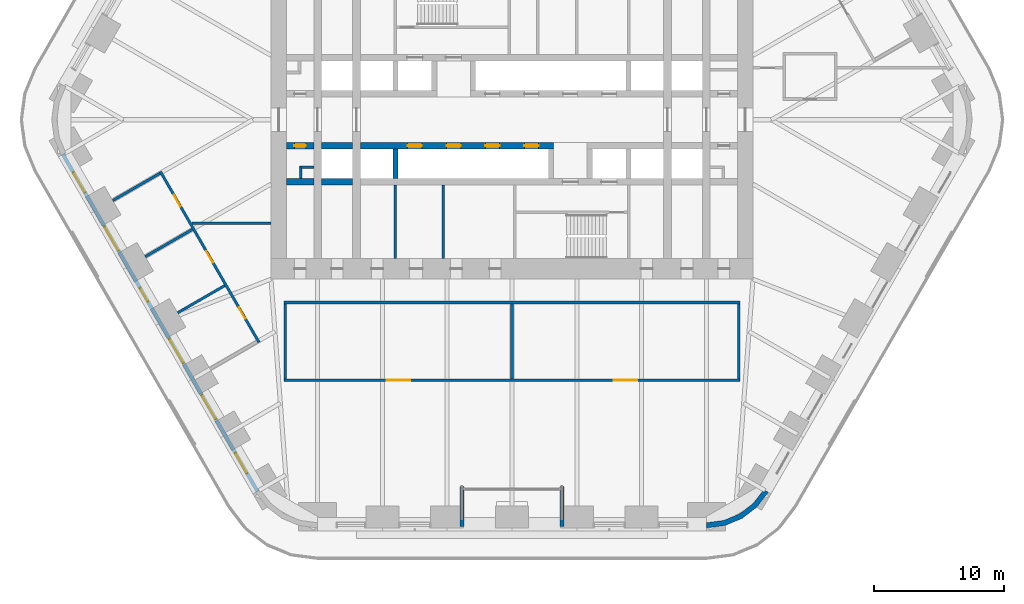
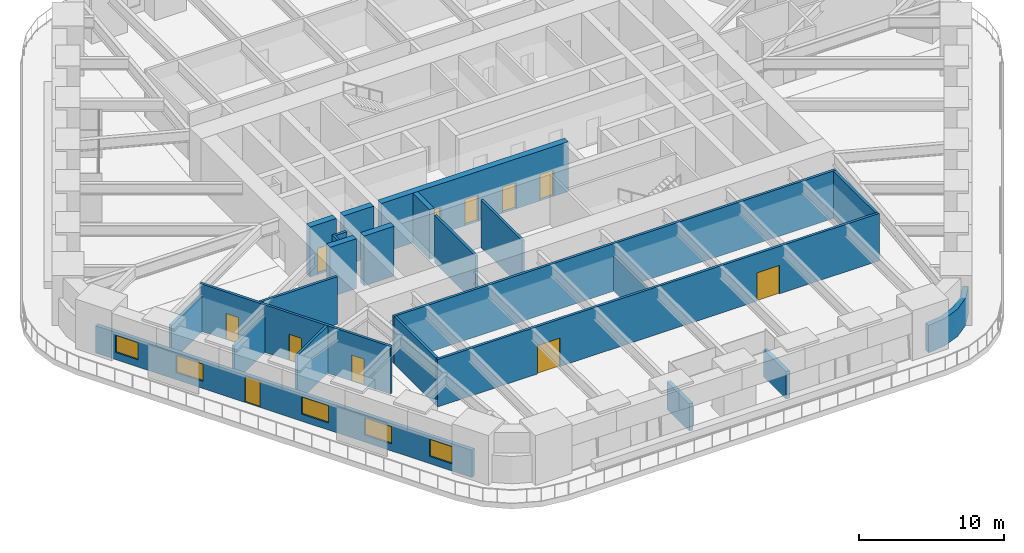
# One storey, part 17 of 24: 24 walls, 11 doors, 5 windows, 16 openings.
"""IFC4 building model written with IfcOpenShell, lengths in metres."""

from ifc_helpers import new_model, si_unit, direction, frame, frame_2d, origin, place, context, subcontext, project, spatial, polyline, rectangle, outline, extrude, material, layer, layer_set, type_object, element, fill, save


model = new_model("IFC4")

# Units and contexts
model_context = context("Model", 3, precision=1e-05, world=origin(), true_north=direction((0.0, 1.0)))
body_context = subcontext(model_context, "Body", "Model", "MODEL_VIEW")
ifc_project = project(units=[si_unit("LENGTHUNIT", "METRE"), si_unit("AREAUNIT", "SQUARE_METRE"), si_unit("VOLUMEUNIT", "CUBIC_METRE"), si_unit("PLANEANGLEUNIT", "RADIAN"), si_unit("MASSUNIT", "GRAM", prefix="KILO")], contexts=[model_context])

# Site, building, storey
site_placement = place(None, origin())
site = spatial("IfcSite", under=ifc_project, at=site_placement, CompositionType="ELEMENT")
building_placement = place(site_placement, origin())
building = spatial("IfcBuilding", under=site, at=building_placement, Name="Tarfa Lantern Tower", CompositionType="ELEMENT")
storey_placement = place(building_placement, frame((0.0, 0.0, 119.5)))
storey = spatial("IfcBuildingStorey", under=building, at=storey_placement, Name="L26", CompositionType="ELEMENT", Elevation=119.5)

# Wall, openings, door, windows
ifc_material_1 = material(Name="Limestone cladding on blockwork", Category="masonry")
ifc_layer_1 = layer(ifc_material_1, 0.300048828125)
ifc_layer_set_1 = layer_set([ifc_layer_1], Name="EW1 STONE-CLAD WALL 300")
wall_type_1 = type_object("IfcWallType", Name="EW1 STONE-CLAD WALL 300", PredefinedType="SOLIDWALL", material=ifc_layer_set_1)
wall_1_placement = place(storey_placement, frame((-34.655517578125, -2.675048828125, 0.0), z_axis=(0.0, 0.0, 1.0), x_axis=(0.500003084452, -0.866023622968, 0.0)))
wall_1 = element("IfcWall", 1, at=wall_1_placement, inside=storey, type_object=wall_type_1, Name="Stone wall SW", PredefinedType="SOLIDWALL", context=body_context, shape_type="SweptSolid", body=[
    extrude(rectangle(XDim=30.022216796875, YDim=0.300048828125, at=frame_2d((15.01123046875, 0.0))), origin(), (0.0, 0.0, 1.0), 2.300048828125),
])
opening_1_placement = place(wall_1_placement, frame((1.601806640625, 0.0, 0.60009765625)))
opening_1 = element("IfcOpeningElement", 2, at=opening_1_placement, cuts=wall_1, Name="Opening W6", PredefinedType="OPENING", context=body_context, shape_type="SweptSolid", body=[
    extrude(rectangle(XDim=1.800048828125, YDim=1.449951171875, at=frame_2d((0.89990234375, 0.72509765625))), frame((0.0, 0.159912109375, 0.0), z_axis=(0.0, -1.0, 0.0), x_axis=(1.0, 0.0, 0.0)), (0.0, 0.0, 1.0), 0.320068359375),
])
opening_2_placement = place(wall_1_placement, frame((6.4306640625, 0.0, 0.60009765625)))
opening_2 = element("IfcOpeningElement", 3, at=opening_2_placement, cuts=wall_1, Name="Opening W7", PredefinedType="OPENING", context=body_context, shape_type="SweptSolid", body=[
    extrude(rectangle(XDim=2.14990234375, YDim=1.449951171875, at=frame_2d((1.074951171875, 0.72509765625))), frame((0.0, 0.159912109375, 0.0), z_axis=(0.0, -1.0, 0.0), x_axis=(1.0, 0.0, 0.0)), (0.0, 0.0, 1.0), 0.320068359375),
])
opening_3_placement = place(wall_1_placement, frame((11.9091796875, 0.0, 0.0)))
opening_3 = element("IfcOpeningElement", 4, at=opening_3_placement, cuts=wall_1, Name="Opening D45", PredefinedType="OPENING", context=body_context, shape_type="SweptSolid", body=[
    extrude(rectangle(XDim=1.199951171875, YDim=2.199951171875, at=frame_2d((0.60009765625, 1.10009765625))), frame((0.0, 0.159912109375, 0.0), z_axis=(0.0, -1.0, 0.0), x_axis=(1.0, 0.0, 0.0)), (0.0, 0.0, 1.0), 0.320068359375),
])
opening_4_placement = place(wall_1_placement, frame((16.43798828125, 0.0, 0.60009765625)))
opening_4 = element("IfcOpeningElement", 5, at=opening_4_placement, cuts=wall_1, Name="Opening W7", PredefinedType="OPENING", context=body_context, shape_type="SweptSolid", body=[
    extrude(rectangle(XDim=2.14990234375, YDim=1.449951171875, at=frame_2d((1.074951171875, 0.72509765625))), frame((0.0, 0.159912109375, 0.0), z_axis=(0.0, -1.0, 0.0), x_axis=(1.0, 0.0, 0.0)), (0.0, 0.0, 1.0), 0.320068359375),
])
opening_5_placement = place(wall_1_placement, frame((21.441650390625, 0.0, 0.60009765625)))
opening_5 = element("IfcOpeningElement", 6, at=opening_5_placement, cuts=wall_1, Name="Opening W7", PredefinedType="OPENING", context=body_context, shape_type="SweptSolid", body=[
    extrude(rectangle(XDim=2.14990234375, YDim=1.449951171875, at=frame_2d((1.074951171875, 0.72509765625))), frame((0.0, 0.159912109375, 0.0), z_axis=(0.0, -1.0, 0.0), x_axis=(1.0, 0.0, 0.0)), (0.0, 0.0, 1.0), 0.320068359375),
])
opening_6_placement = place(wall_1_placement, frame((26.620361328125, 0.0, 0.60009765625)))
opening_6 = element("IfcOpeningElement", 7, at=opening_6_placement, cuts=wall_1, Name="Opening W6", PredefinedType="OPENING", context=body_context, shape_type="SweptSolid", body=[
    extrude(rectangle(XDim=1.800048828125, YDim=1.449951171875, at=frame_2d((0.89990234375, 0.72509765625))), frame((0.0, 0.159912109375, 0.0), z_axis=(0.0, -1.0, 0.0), x_axis=(1.0, 0.0, 0.0)), (0.0, 0.0, 1.0), 0.320068359375),
])
ifc_material_2 = material(Name="Aluminium framed glazed door", Category="aluminium")
door_type_1 = type_object("IfcDoorType", Name="BE5 BALCONY DOOR 1200x2200", OperationType="SINGLE_SWING_RIGHT", PredefinedType="DOOR", material=ifc_material_2)
door_1_placement = place(opening_3_placement, origin())
door_1 = element("IfcDoor", 8, at=door_1_placement, inside=storey, type_object=door_type_1, Name="Balcony door SW", OperationType="SINGLE_SWING_RIGHT", OverallHeight=2.199951171875, OverallWidth=1.199951171875, PredefinedType="DOOR", context=body_context, shape_type="SweptSolid", body=[
    extrude(rectangle(XDim=1.199951171875, YDim=2.199951171875, at=frame_2d((0.60009765625, 1.10009765625))), frame((0.0, 0.02490234375, 0.0), z_axis=(0.0, -1.0, 0.0), x_axis=(1.0, 0.0, 0.0)), (0.0, 0.0, 1.0), 0.050048828125),
])
fill(opening_3, door_1)
ifc_material_3 = material(Name="Aluminium frame, double glazed", Category="aluminium")
window_type_1 = type_object("IfcWindowType", Name="W6 FULL-HEIGHT GLAZING 1800x1450", PartitioningType="SINGLE_PANEL", PredefinedType="WINDOW", material=ifc_material_3)
window_1_placement = place(opening_1_placement, origin())
window_1 = element("IfcWindow", 9, at=window_1_placement, inside=storey, type_object=window_type_1, Name="Window SW 1", OverallHeight=1.449951171875, OverallWidth=1.800048828125, PartitioningType="SINGLE_PANEL", PredefinedType="WINDOW", context=body_context, shape_type="SweptSolid", body=[
    extrude(rectangle(XDim=1.800048828125, YDim=1.449951171875, at=frame_2d((0.89990234375, 0.72509765625))), frame((0.0, 0.030029296875, 0.0), z_axis=(0.0, -1.0, 0.0), x_axis=(1.0, 0.0, 0.0)), (0.0, 0.0, 1.0), 0.06005859375),
])
fill(opening_1, window_1)
window_2_placement = place(opening_6_placement, origin())
window_2 = element("IfcWindow", 10, at=window_2_placement, inside=storey, type_object=window_type_1, Name="Window SW 6", OverallHeight=1.449951171875, OverallWidth=1.800048828125, PartitioningType="SINGLE_PANEL", PredefinedType="WINDOW", context=body_context, shape_type="SweptSolid", body=[
    extrude(rectangle(XDim=1.800048828125, YDim=1.449951171875, at=frame_2d((0.89990234375, 0.72509765625))), frame((0.0, 0.030029296875, 0.0), z_axis=(0.0, -1.0, 0.0), x_axis=(1.0, 0.0, 0.0)), (0.0, 0.0, 1.0), 0.06005859375),
])
fill(opening_6, window_2)
window_type_2 = type_object("IfcWindowType", Name="W7 FULL-HEIGHT GLAZING 2150x1450", PartitioningType="SINGLE_PANEL", PredefinedType="WINDOW", material=ifc_material_3)
window_3_placement = place(opening_2_placement, origin())
window_3 = element("IfcWindow", 11, at=window_3_placement, inside=storey, type_object=window_type_2, Name="Window SW 2", OverallHeight=1.449951171875, OverallWidth=2.14990234375, PartitioningType="SINGLE_PANEL", PredefinedType="WINDOW", context=body_context, shape_type="SweptSolid", body=[
    extrude(rectangle(XDim=2.14990234375, YDim=1.449951171875, at=frame_2d((1.074951171875, 0.72509765625))), frame((0.0, 0.030029296875, 0.0), z_axis=(0.0, -1.0, 0.0), x_axis=(1.0, 0.0, 0.0)), (0.0, 0.0, 1.0), 0.06005859375),
])
fill(opening_2, window_3)
window_4_placement = place(opening_4_placement, origin())
window_4 = element("IfcWindow", 12, at=window_4_placement, inside=storey, type_object=window_type_2, Name="Window SW 4", OverallHeight=1.449951171875, OverallWidth=2.14990234375, PartitioningType="SINGLE_PANEL", PredefinedType="WINDOW", context=body_context, shape_type="SweptSolid", body=[
    extrude(rectangle(XDim=2.14990234375, YDim=1.449951171875, at=frame_2d((1.074951171875, 0.72509765625))), frame((0.0, 0.030029296875, 0.0), z_axis=(0.0, -1.0, 0.0), x_axis=(1.0, 0.0, 0.0)), (0.0, 0.0, 1.0), 0.06005859375),
])
fill(opening_4, window_4)
window_5_placement = place(opening_5_placement, origin())
window_5 = element("IfcWindow", 13, at=window_5_placement, inside=storey, type_object=window_type_2, Name="Window SW 5", OverallHeight=1.449951171875, OverallWidth=2.14990234375, PartitioningType="SINGLE_PANEL", PredefinedType="WINDOW", context=body_context, shape_type="SweptSolid", body=[
    extrude(rectangle(XDim=2.14990234375, YDim=1.449951171875, at=frame_2d((1.074951171875, 0.72509765625))), frame((0.0, 0.030029296875, 0.0), z_axis=(0.0, -1.0, 0.0), x_axis=(1.0, 0.0, 0.0)), (0.0, 0.0, 1.0), 0.06005859375),
])
fill(opening_5, window_5)

# Walls
for number, where, z_axis, x_axis, name in (
    (14, (-3.853759765625, -31.39990234375, 0.0), (0.0, 0.0, 1.0), (0.0, 1.0, 0.0), "Loggia return S 1"),
    (15, (3.853759765625, -31.39990234375, 0.0), (0.0, 0.0, 1.0), (0.0, 1.0, 0.0), "Loggia return S 2"),
):
    element("IfcWall", number, at=place(storey_placement, frame(where, z_axis=z_axis, x_axis=x_axis)), inside=storey, type_object=wall_type_1, Name=name, PredefinedType="SOLIDWALL", context=body_context, shape_type="SweptSolid", body=[
        extrude(rectangle(XDim=3.099853515625, YDim=0.300048828125, at=frame_2d((1.5498046875, 0.0))), origin(), (0.0, 0.0, 1.0), 2.300048828125),
    ])
ifc_layer_2 = layer(ifc_material_1, 0.39990234375)
ifc_layer_set_2 = layer_set([ifc_layer_2], Name="EW2 CURVED STONE CORNER 400")
wall_type_2 = type_object("IfcWallType", Name="EW2 CURVED STONE CORNER 400", PredefinedType="SOLIDWALL", material=ifc_layer_set_2)
wall_2_placement = place(storey_placement, origin())
element("IfcWall", 16, at=wall_2_placement, inside=storey, type_object=wall_type_2, Name="Stone corner S-SE", PredefinedType="SOLIDWALL", context=body_context, shape_type="SweptSolid", body=[
    extrude(outline(polyline([(15.010986328125, -31.5), (16.4345703125, -31.3125), (17.760986328125, -30.76318359375), (18.900146484375, -29.88916015625), (19.774169921875, -28.75), (19.427734375, -28.550048828125), (18.617431640625, -29.606201171875), (17.56103515625, -30.416748046875), (16.3310546875, -30.92626953125), (15.010986328125, -31.10009765625), (15.010986328125, -31.5)])), origin(), (0.0, 0.0, 1.0), 2.300048828125),
])
ifc_material_4 = material(Name="Concrete blockwork", Category="masonry")
ifc_layer_3 = layer(ifc_material_4, 0.199951171875)
ifc_layer_set_3 = layer_set([ifc_layer_3], Name="IW1 BLOCKWORK PARTITION 200 EI 120")
wall_type_3 = type_object("IfcWallType", Name="IW1 BLOCKWORK PARTITION 200 EI 120", PredefinedType="PARTITIONING", material=ifc_layer_set_3)
for number, where, z_axis, x_axis, name in (
    (17, (-9.0, -5.050048828125, 0.0), (0.0, 0.0, 1.0), (0.0, -1.0, 0.0), "Core partition"),
    (18, (-5.300048828125, -5.050048828125, 0.0), (0.0, 0.0, 1.0), (0.0, -1.0, 0.0), "Core partition"),
):
    element("IfcWall", number, at=place(storey_placement, frame(where, z_axis=z_axis, x_axis=x_axis)), inside=storey, type_object=wall_type_3, Name=name, PredefinedType="PARTITIONING", context=body_context, shape_type="SweptSolid", body=[
        extrude(rectangle(XDim=5.64990234375, YDim=0.199951171875, at=frame_2d((2.824951171875, 0.0))), origin(), (0.0, 0.0, 1.0), 4.0),
    ])
for number, where, z_axis, x_axis, name in (
    (19, (-15.300048828125, -3.64990234375, 0.0), (0.0, 0.0, 1.0), (-1.0, 0.0, 0.0), "Core partition"),
    (20, (-16.300048828125, -3.550048828125, 0.0), (0.0, 0.0, 1.0), (0.0, -1.0, 0.0), "Core partition"),
):
    element("IfcWall", number, at=place(storey_placement, frame(where, z_axis=z_axis, x_axis=x_axis)), inside=storey, type_object=wall_type_3, Name=name, PredefinedType="PARTITIONING", context=body_context, shape_type="SweptSolid", body=[
        extrude(rectangle(XDim=1.0, YDim=0.199951171875, at=frame_2d((0.5, 0.0))), origin(), (0.0, 0.0, 1.0), 4.0),
    ])
ifc_material_5 = material(Name="Gypsum board on steel studs", Category="steel")
ifc_layer_4 = layer(ifc_material_5, 0.2099609375)
ifc_layer_set_4 = layer_set([ifc_layer_4], Name="IW2 ACOUSTIC PARTITION 200")
wall_type_4 = type_object("IfcWallType", Name="IW2 ACOUSTIC PARTITION 200", PredefinedType="PARTITIONING", material=ifc_layer_set_4)
wall_3_placement = place(storey_placement, frame((17.60009765625, -14.10009765625, 0.0), z_axis=(0.0, 0.0, 1.0), x_axis=(-1.0, 0.0, 0.0)))
element("IfcWall", 21, at=wall_3_placement, inside=storey, type_object=wall_type_4, Name="Partition", PredefinedType="PARTITIONING", context=body_context, shape_type="SweptSolid", body=[
    extrude(rectangle(XDim=35.2001953125, YDim=0.199951171875, at=frame_2d((17.60009765625, 0.0))), origin(), (0.0, 0.0, 1.0), 4.0),
])

# Wall, openings, doors
wall_4_placement = place(storey_placement, frame((17.60009765625, -20.10009765625, 0.0), z_axis=(0.0, 0.0, 1.0), x_axis=(-1.0, 0.0, 0.0)))
wall_4 = element("IfcWall", 22, at=wall_4_placement, inside=storey, type_object=wall_type_4, Name="Partition", PredefinedType="PARTITIONING", context=body_context, shape_type="SweptSolid", body=[
    extrude(rectangle(XDim=35.2001953125, YDim=0.199951171875, at=frame_2d((17.60009765625, 0.0))), origin(), (0.0, 0.0, 1.0), 4.0),
])
opening_7_placement = place(wall_4_placement, frame((7.949951171875, 0.0, 0.0)))
opening_7 = element("IfcOpeningElement", 23, at=opening_7_placement, cuts=wall_4, Name="Opening D40", PredefinedType="OPENING", context=body_context, shape_type="SweptSolid", body=[
    extrude(rectangle(XDim=1.800048828125, YDim=2.39990234375, at=frame_2d((0.89990234375, 1.199951171875))), frame((0.0, 0.10986328125, 0.0), z_axis=(0.0, -1.0, 0.0), x_axis=(1.0, 0.0, 0.0)), (0.0, 0.0, 1.0), 0.219970703125),
])
opening_8_placement = place(wall_4_placement, frame((25.449951171875, 0.0, 0.0)))
opening_8 = element("IfcOpeningElement", 24, at=opening_8_placement, cuts=wall_4, Name="Opening D41", PredefinedType="OPENING", context=body_context, shape_type="SweptSolid", body=[
    extrude(rectangle(XDim=1.800048828125, YDim=2.39990234375, at=frame_2d((0.89990234375, 1.199951171875))), frame((0.0, 0.10986328125, 0.0), z_axis=(0.0, -1.0, 0.0), x_axis=(1.0, 0.0, 0.0)), (0.0, 0.0, 1.0), 0.219970703125),
])
ifc_material_6 = material(Name="Timber door", Category="wood")
door_type_2 = type_object("IfcDoorType", Name="DR2 ROOM DOOR 1800x2400", OperationType="DOUBLE_DOOR_SINGLE_SWING", PredefinedType="DOOR", material=ifc_material_6)
door_2_placement = place(opening_7_placement, frame((1.800048828125, 0.0, 0.0), z_axis=(0.0, 0.0, 1.0), x_axis=(-1.0, 0.0, 0.0)))
door_2 = element("IfcDoor", 25, at=door_2_placement, inside=storey, type_object=door_type_2, Name="Course administration office door", OperationType="DOUBLE_DOOR_SINGLE_SWING", OverallHeight=2.39990234375, OverallWidth=1.800048828125, PredefinedType="DOOR", context=body_context, shape_type="SweptSolid", body=[
    extrude(rectangle(XDim=1.800048828125, YDim=2.39990234375, at=frame_2d((0.89990234375, 1.199951171875))), frame((0.0, 0.02490234375, 0.0), z_axis=(0.0, -1.0, 0.0), x_axis=(1.0, 0.0, 0.0)), (0.0, 0.0, 1.0), 0.050048828125),
])
fill(opening_7, door_2)
door_3_placement = place(opening_8_placement, frame((1.800048828125, 0.0, 0.0), z_axis=(0.0, 0.0, 1.0), x_axis=(-1.0, 0.0, 0.0)))
door_3 = element("IfcDoor", 26, at=door_3_placement, inside=storey, type_object=door_type_2, Name="E-learning room door", OperationType="DOUBLE_DOOR_SINGLE_SWING", OverallHeight=2.39990234375, OverallWidth=1.800048828125, PredefinedType="DOOR", context=body_context, shape_type="SweptSolid", body=[
    extrude(rectangle(XDim=1.800048828125, YDim=2.39990234375, at=frame_2d((0.89990234375, 1.199951171875))), frame((0.0, 0.02490234375, 0.0), z_axis=(0.0, -1.0, 0.0), x_axis=(1.0, 0.0, 0.0)), (0.0, 0.0, 1.0), 0.050048828125),
])
fill(opening_8, door_3)

# Walls
wall_5_placement = place(storey_placement, frame((17.5, -14.199951171875, 0.0), z_axis=(0.0, 0.0, 1.0), x_axis=(0.0, -1.0, 0.0)))
element("IfcWall", 27, at=wall_5_placement, inside=storey, type_object=wall_type_4, Name="Partition", PredefinedType="PARTITIONING", context=body_context, shape_type="SweptSolid", body=[
    extrude(rectangle(XDim=5.800048828125, YDim=0.199951171875, at=frame_2d((2.89990234375, 0.0))), origin(), (0.0, 0.0, 1.0), 4.0),
])
wall_6_placement = place(storey_placement, frame((0.0, -14.199951171875, 0.0), z_axis=(0.0, 0.0, 1.0), x_axis=(0.0, -1.0, 0.0)))
element("IfcWall", 28, at=wall_6_placement, inside=storey, type_object=wall_type_4, Name="Partition", PredefinedType="PARTITIONING", context=body_context, shape_type="SweptSolid", body=[
    extrude(rectangle(XDim=5.800048828125, YDim=0.199951171875, at=frame_2d((2.89990234375, 0.0))), origin(), (0.0, 0.0, 1.0), 2.991943359375),
])
wall_7_placement = place(storey_placement, frame((-17.5, -14.199951171875, 0.0), z_axis=(0.0, 0.0, 1.0), x_axis=(0.0, -1.0, 0.0)))
element("IfcWall", 29, at=wall_7_placement, inside=storey, type_object=wall_type_4, Name="Partition", PredefinedType="PARTITIONING", context=body_context, shape_type="SweptSolid", body=[
    extrude(rectangle(XDim=5.800048828125, YDim=0.199951171875, at=frame_2d((2.89990234375, 0.0))), origin(), (0.0, 0.0, 1.0), 4.0),
])

# Wall, openings, doors
wall_8_placement = place(storey_placement, frame((-27.137451171875, -3.996826171875, 0.0), z_axis=(0.0, 0.0, 1.0), x_axis=(0.500010972563, -0.86601906868, 0.0)))
wall_8 = element("IfcWall", 30, at=wall_8_placement, inside=storey, type_object=wall_type_4, Name="Partition", PredefinedType="PARTITIONING", context=body_context, shape_type="SweptSolid", body=[
    extrude(rectangle(XDim=15.211181640625, YDim=0.199951171875, at=frame_2d((7.60546875, 0.0))), origin(), (0.0, 0.0, 1.0), 4.0),
])
opening_9_placement = place(wall_8_placement, frame((2.101806640625, 0.0, 0.0)))
opening_9 = element("IfcOpeningElement", 31, at=opening_9_placement, cuts=wall_8, Name="Opening D35", PredefinedType="OPENING", context=body_context, shape_type="SweptSolid", body=[
    extrude(rectangle(XDim=1.0, YDim=2.199951171875, at=frame_2d((0.5, 1.10009765625))), frame((0.0, 0.10986328125, 0.0), z_axis=(0.0, -1.0, 0.0), x_axis=(1.0, 0.0, 0.0)), (0.0, 0.0, 1.0), 0.219970703125),
])
opening_10_placement = place(wall_8_placement, frame((7.10546875, 0.0, 0.0)))
opening_10 = element("IfcOpeningElement", 32, at=opening_10_placement, cuts=wall_8, Name="Opening D36", PredefinedType="OPENING", context=body_context, shape_type="SweptSolid", body=[
    extrude(rectangle(XDim=1.0, YDim=2.199951171875, at=frame_2d((0.5, 1.10009765625))), frame((0.0, 0.10986328125, 0.0), z_axis=(0.0, -1.0, 0.0), x_axis=(1.0, 0.0, 0.0)), (0.0, 0.0, 1.0), 0.219970703125),
])
opening_11_placement = place(wall_8_placement, frame((12.109375, 0.0, 0.0)))
opening_11 = element("IfcOpeningElement", 33, at=opening_11_placement, cuts=wall_8, Name="Opening D37", PredefinedType="OPENING", context=body_context, shape_type="SweptSolid", body=[
    extrude(rectangle(XDim=1.0, YDim=2.199951171875, at=frame_2d((0.5, 1.10009765625))), frame((0.0, 0.10986328125, 0.0), z_axis=(0.0, -1.0, 0.0), x_axis=(1.0, 0.0, 0.0)), (0.0, 0.0, 1.0), 0.219970703125),
])
door_type_3 = type_object("IfcDoorType", Name="DR1 ROOM DOOR 1000x2200", OperationType="SINGLE_SWING_LEFT", PredefinedType="DOOR", material=ifc_material_6)
door_4_placement = place(opening_9_placement, frame((1.0, 0.0, 0.0), z_axis=(0.0, 0.0, 1.0), x_axis=(-1.0, 0.0, 0.0)))
door_4 = element("IfcDoor", 34, at=door_4_placement, inside=storey, type_object=door_type_3, Name="Prayer room male door", OperationType="SINGLE_SWING_LEFT", OverallHeight=2.199951171875, OverallWidth=1.0, PredefinedType="DOOR", context=body_context, shape_type="SweptSolid", body=[
    extrude(rectangle(XDim=1.0, YDim=2.199951171875, at=frame_2d((0.5, 1.10009765625))), frame((0.0, 0.02490234375, 0.0), z_axis=(0.0, -1.0, 0.0), x_axis=(1.0, 0.0, 0.0)), (0.0, 0.0, 1.0), 0.050048828125),
])
fill(opening_9, door_4)
door_5_placement = place(opening_10_placement, frame((1.0, 0.0, 0.0), z_axis=(0.0, 0.0, 1.0), x_axis=(-1.0, 0.0, 0.0)))
door_5 = element("IfcDoor", 35, at=door_5_placement, inside=storey, type_object=door_type_3, Name="Ablution room door", OperationType="SINGLE_SWING_LEFT", OverallHeight=2.199951171875, OverallWidth=1.0, PredefinedType="DOOR", context=body_context, shape_type="SweptSolid", body=[
    extrude(rectangle(XDim=1.0, YDim=2.199951171875, at=frame_2d((0.5, 1.10009765625))), frame((0.0, 0.02490234375, 0.0), z_axis=(0.0, -1.0, 0.0), x_axis=(1.0, 0.0, 0.0)), (0.0, 0.0, 1.0), 0.050048828125),
])
fill(opening_10, door_5)
door_6_placement = place(opening_11_placement, frame((1.0, 0.0, 0.0), z_axis=(0.0, 0.0, 1.0), x_axis=(-1.0, 0.0, 0.0)))
door_6 = element("IfcDoor", 36, at=door_6_placement, inside=storey, type_object=door_type_3, Name="Prayer room female door", OperationType="SINGLE_SWING_RIGHT", OverallHeight=2.199951171875, OverallWidth=1.0, PredefinedType="DOOR", context=body_context, shape_type="SweptSolid", body=[
    extrude(rectangle(XDim=1.0, YDim=2.199951171875, at=frame_2d((0.5, 1.10009765625))), frame((0.0, 0.02490234375, 0.0), z_axis=(0.0, -1.0, 0.0), x_axis=(1.0, 0.0, 0.0)), (0.0, 0.0, 1.0), 0.050048828125),
])
fill(opening_11, door_6)

# Walls
for number, where, z_axis, x_axis, name in (
    (37, (-27.174072265625, -4.13330078125, 0.0), (0.0, 0.0, 1.0), (-0.866009402589, -0.500027713859, 0.0), "Partition"),
    (38, (-24.672119140625, -8.466552734375, 0.0), (0.0, 0.0, 1.0), (-0.866009402589, -0.500027713859, 0.0), "Partition"),
):
    element("IfcWall", number, at=place(storey_placement, frame(where, z_axis=z_axis, x_axis=x_axis)), inside=storey, type_object=wall_type_4, Name=name, PredefinedType="PARTITIONING", context=body_context, shape_type="SweptSolid", body=[
        extrude(rectangle(XDim=4.199951171875, YDim=0.199951171875, at=frame_2d((2.10009765625, 0.0))), origin(), (0.0, 0.0, 1.0), 3.08154296875),
    ])
wall_9_placement = place(storey_placement, frame((-22.170166015625, -12.800048828125, 0.0), z_axis=(0.0, 0.0, 1.0), x_axis=(-0.866049104564, -0.499958946799, 0.0)))
element("IfcWall", 39, at=wall_9_placement, inside=storey, type_object=wall_type_4, Name="Partition", PredefinedType="PARTITIONING", context=body_context, shape_type="SweptSolid", body=[
    extrude(rectangle(XDim=4.199951171875, YDim=0.199951171875, at=frame_2d((2.10009765625, 0.0))), origin(), (0.0, 0.0, 1.0), 4.0),
])
wall_10_placement = place(storey_placement, frame((-18.60009765625, -8.0, 0.0), z_axis=(0.0, 0.0, 1.0), x_axis=(-1.0, 0.0, 0.0)))
element("IfcWall", 40, at=wall_10_placement, inside=storey, type_object=wall_type_4, Name="Partition", PredefinedType="PARTITIONING", context=body_context, shape_type="SweptSolid", body=[
    extrude(rectangle(XDim=6.110595703125, YDim=0.199951171875, at=frame_2d((3.05517578125, 0.0))), origin(), (0.0, 0.0, 1.0), 4.0),
])

# Wall, openings, doors
ifc_material_7 = material(Name="Concrete C80/95", Category="concrete")
ifc_layer_5 = layer(ifc_material_7, 0.5)
ifc_layer_set_5 = layer_set([ifc_layer_5], Name="SW5 CORE WALL 500")
wall_type_5 = type_object("IfcWallType", Name="SW5 CORE WALL 500", PredefinedType="SHEAR", material=ifc_layer_set_5)
wall_11_placement = place(storey_placement, frame((3.199951171875, -2.0, 0.0), z_axis=(0.0, 0.0, 1.0), x_axis=(-1.0, 0.0, 0.0)))
wall_11 = element("IfcWall", 41, at=wall_11_placement, inside=storey, type_object=wall_type_5, Name="Core wall lobby east S", PredefinedType="SHEAR", context=body_context, shape_type="SweptSolid", body=[
    extrude(rectangle(XDim=14.89990234375, YDim=0.5, at=frame_2d((7.449951171875, 0.0))), origin(), (0.0, 0.0, 1.0), 4.199951171875),
])
opening_12_placement = place(wall_11_placement, frame((1.14990234375, 0.0, 0.0)))
opening_12 = element("IfcOpeningElement", 42, at=opening_12_placement, cuts=wall_11, Name="Opening LD07", PredefinedType="OPENING", context=body_context, shape_type="SweptSolid", body=[
    extrude(rectangle(XDim=1.10009765625, YDim=2.199951171875, at=frame_2d((0.550048828125, 1.10009765625))), frame((0.0, 0.260009765625, 0.0), z_axis=(0.0, -1.0, 0.0), x_axis=(1.0, 0.0, 0.0)), (0.0, 0.0, 1.0), 0.52001953125),
])
opening_13_placement = place(wall_11_placement, frame((4.14990234375, 0.0, 0.0)))
opening_13 = element("IfcOpeningElement", 43, at=opening_13_placement, cuts=wall_11, Name="Opening LD08", PredefinedType="OPENING", context=body_context, shape_type="SweptSolid", body=[
    extrude(rectangle(XDim=1.10009765625, YDim=2.199951171875, at=frame_2d((0.550048828125, 1.10009765625))), frame((0.0, 0.260009765625, 0.0), z_axis=(0.0, -1.0, 0.0), x_axis=(1.0, 0.0, 0.0)), (0.0, 0.0, 1.0), 0.52001953125),
])
opening_14_placement = place(wall_11_placement, frame((7.14990234375, 0.0, 0.0)))
opening_14 = element("IfcOpeningElement", 44, at=opening_14_placement, cuts=wall_11, Name="Opening LD09", PredefinedType="OPENING", context=body_context, shape_type="SweptSolid", body=[
    extrude(rectangle(XDim=1.10009765625, YDim=2.199951171875, at=frame_2d((0.550048828125, 1.10009765625))), frame((0.0, 0.260009765625, 0.0), z_axis=(0.0, -1.0, 0.0), x_axis=(1.0, 0.0, 0.0)), (0.0, 0.0, 1.0), 0.52001953125),
])
opening_15_placement = place(wall_11_placement, frame((10.14990234375, 0.0, 0.0)))
opening_15 = element("IfcOpeningElement", 45, at=opening_15_placement, cuts=wall_11, Name="Opening LD10", PredefinedType="OPENING", context=body_context, shape_type="SweptSolid", body=[
    extrude(rectangle(XDim=1.10009765625, YDim=2.199951171875, at=frame_2d((0.550048828125, 1.10009765625))), frame((0.0, 0.260009765625, 0.0), z_axis=(0.0, -1.0, 0.0), x_axis=(1.0, 0.0, 0.0)), (0.0, 0.0, 1.0), 0.52001953125),
])
ifc_material_8 = material(Name="Stainless steel lift door", Category="steel")
door_type_4 = type_object("IfcDoorType", Name="LD2 LIFT LANDING DOOR 1100x2200", OperationType="SLIDING_TO_LEFT", PredefinedType="DOOR", material=ifc_material_8)
door_7_placement = place(opening_12_placement, frame((1.10009765625, 0.0, 0.0), z_axis=(0.0, 0.0, 1.0), x_axis=(-1.0, 0.0, 0.0)))
door_7 = element("IfcDoor", 46, at=door_7_placement, inside=storey, type_object=door_type_4, Name="Landing door PB5", OperationType="SLIDING_TO_LEFT", OverallHeight=2.199951171875, OverallWidth=1.10009765625, PredefinedType="DOOR", context=body_context, shape_type="SweptSolid", body=[
    extrude(rectangle(XDim=1.10009765625, YDim=2.199951171875, at=frame_2d((0.550048828125, 1.10009765625))), frame((0.0, 0.02490234375, 0.0), z_axis=(0.0, -1.0, 0.0), x_axis=(1.0, 0.0, 0.0)), (0.0, 0.0, 1.0), 0.050048828125),
])
fill(opening_12, door_7)
door_8_placement = place(opening_13_placement, frame((1.10009765625, 0.0, 0.0), z_axis=(0.0, 0.0, 1.0), x_axis=(-1.0, 0.0, 0.0)))
door_8 = element("IfcDoor", 47, at=door_8_placement, inside=storey, type_object=door_type_4, Name="Landing door PB6", OperationType="SLIDING_TO_LEFT", OverallHeight=2.199951171875, OverallWidth=1.10009765625, PredefinedType="DOOR", context=body_context, shape_type="SweptSolid", body=[
    extrude(rectangle(XDim=1.10009765625, YDim=2.199951171875, at=frame_2d((0.550048828125, 1.10009765625))), frame((0.0, 0.02490234375, 0.0), z_axis=(0.0, -1.0, 0.0), x_axis=(1.0, 0.0, 0.0)), (0.0, 0.0, 1.0), 0.050048828125),
])
fill(opening_13, door_8)
door_9_placement = place(opening_14_placement, frame((1.10009765625, 0.0, 0.0), z_axis=(0.0, 0.0, 1.0), x_axis=(-1.0, 0.0, 0.0)))
door_9 = element("IfcDoor", 48, at=door_9_placement, inside=storey, type_object=door_type_4, Name="Landing door PB7", OperationType="SLIDING_TO_LEFT", OverallHeight=2.199951171875, OverallWidth=1.10009765625, PredefinedType="DOOR", context=body_context, shape_type="SweptSolid", body=[
    extrude(rectangle(XDim=1.10009765625, YDim=2.199951171875, at=frame_2d((0.550048828125, 1.10009765625))), frame((0.0, 0.02490234375, 0.0), z_axis=(0.0, -1.0, 0.0), x_axis=(1.0, 0.0, 0.0)), (0.0, 0.0, 1.0), 0.050048828125),
])
fill(opening_14, door_9)
door_10_placement = place(opening_15_placement, frame((1.10009765625, 0.0, 0.0), z_axis=(0.0, 0.0, 1.0), x_axis=(-1.0, 0.0, 0.0)))
door_10 = element("IfcDoor", 49, at=door_10_placement, inside=storey, type_object=door_type_4, Name="Landing door PB8", OperationType="SLIDING_TO_LEFT", OverallHeight=2.199951171875, OverallWidth=1.10009765625, PredefinedType="DOOR", context=body_context, shape_type="SweptSolid", body=[
    extrude(rectangle(XDim=1.10009765625, YDim=2.199951171875, at=frame_2d((0.550048828125, 1.10009765625))), frame((0.0, 0.02490234375, 0.0), z_axis=(0.0, -1.0, 0.0), x_axis=(1.0, 0.0, 0.0)), (0.0, 0.0, 1.0), 0.050048828125),
])
fill(opening_15, door_10)

# Wall
wall_12_placement = place(storey_placement, frame((-12.300048828125, -2.0, 0.0), z_axis=(0.0, 0.0, 1.0), x_axis=(-1.0, 0.0, 0.0)))
element("IfcWall", 50, at=wall_12_placement, inside=storey, type_object=wall_type_5, Name="Core wall lobby east S", PredefinedType="SHEAR", context=body_context, shape_type="SweptSolid", body=[
    extrude(rectangle(XDim=2.39990234375, YDim=0.5, at=frame_2d((1.199951171875, 0.0))), origin(), (0.0, 0.0, 1.0), 4.199951171875),
])

# Wall, opening, door
wall_13_placement = place(storey_placement, frame((-15.300048828125, -2.0, 0.0), z_axis=(0.0, 0.0, 1.0), x_axis=(-1.0, 0.0, 0.0)))
wall_13 = element("IfcWall", 51, at=wall_13_placement, inside=storey, type_object=wall_type_5, Name="Core wall lobby east S", PredefinedType="SHEAR", context=body_context, shape_type="SweptSolid", body=[
    extrude(rectangle(XDim=2.099853515625, YDim=0.5, at=frame_2d((1.0498046875, 0.0))), origin(), (0.0, 0.0, 1.0), 4.199951171875),
])
opening_16_placement = place(wall_13_placement, frame((0.60009765625, 0.0, 0.0)))
opening_16 = element("IfcOpeningElement", 52, at=opening_16_placement, cuts=wall_13, Name="Opening D18", PredefinedType="OPENING", context=body_context, shape_type="SweptSolid", body=[
    extrude(rectangle(XDim=0.89990234375, YDim=2.199951171875, at=frame_2d((0.449951171875, 1.10009765625))), frame((0.0, 0.260009765625, 0.0), z_axis=(0.0, -1.0, 0.0), x_axis=(1.0, 0.0, 0.0)), (0.0, 0.0, 1.0), 0.52001953125),
])
ifc_material_9 = material(Name="Steel fire door", Category="steel")
door_type_5 = type_object("IfcDoorType", Name="DF6 SERVICE ROOM DOOR 900x2200", OperationType="SINGLE_SWING_LEFT", PredefinedType="DOOR", material=ifc_material_9)
door_11_placement = place(opening_16_placement, origin())
door_11 = element("IfcDoor", 53, at=door_11_placement, inside=storey, type_object=door_type_5, Name="Service room door", OperationType="SINGLE_SWING_LEFT", OverallHeight=2.199951171875, OverallWidth=0.89990234375, PredefinedType="DOOR", context=body_context, shape_type="SweptSolid", body=[
    extrude(rectangle(XDim=0.89990234375, YDim=2.199951171875, at=frame_2d((0.449951171875, 1.10009765625))), frame((0.0, 0.02490234375, 0.0), z_axis=(0.0, -1.0, 0.0), x_axis=(1.0, 0.0, 0.0)), (0.0, 0.0, 1.0), 0.050048828125),
])
fill(opening_16, door_11)

# Walls
wall_14_placement = place(storey_placement, frame((-12.300048828125, -4.800048828125, 0.0), z_axis=(0.0, 0.0, 1.0), x_axis=(-1.0, 0.0, 0.0)))
element("IfcWall", 54, at=wall_14_placement, inside=storey, type_object=wall_type_5, Name="Core wall rear S", PredefinedType="SHEAR", context=body_context, shape_type="SweptSolid", body=[
    extrude(rectangle(XDim=2.39990234375, YDim=0.5, at=frame_2d((1.199951171875, 0.0))), origin(), (0.0, 0.0, 1.0), 4.199951171875),
])
wall_15_placement = place(storey_placement, frame((-15.300048828125, -4.800048828125, 0.0), z_axis=(0.0, 0.0, 1.0), x_axis=(-1.0, 0.0, 0.0)))
element("IfcWall", 55, at=wall_15_placement, inside=storey, type_object=wall_type_5, Name="Core wall rear S", PredefinedType="SHEAR", context=body_context, shape_type="SweptSolid", body=[
    extrude(rectangle(XDim=2.099853515625, YDim=0.5, at=frame_2d((1.0498046875, 0.0))), origin(), (0.0, 0.0, 1.0), 4.199951171875),
])
ifc_layer_6 = layer(ifc_material_7, 0.39990234375)
ifc_layer_set_6 = layer_set([ifc_layer_6], Name="SW6 CORE WALL 400")
wall_type_6 = type_object("IfcWallType", Name="SW6 CORE WALL 400", PredefinedType="SHEAR", material=ifc_layer_set_6)
wall_16_placement = place(storey_placement, frame((-9.0, -2.25, 0.0), z_axis=(0.0, 0.0, 1.0), x_axis=(0.0, -1.0, 0.0)))
element("IfcWall", 56, at=wall_16_placement, inside=storey, type_object=wall_type_6, Name="Core wall divider S", PredefinedType="SHEAR", context=body_context, shape_type="SweptSolid", body=[
    extrude(rectangle(XDim=2.300048828125, YDim=0.39990234375, at=frame_2d((1.14990234375, 0.0))), origin(), (0.0, 0.0, 1.0), 4.199951171875),
])

save(model, "model.ifc")
